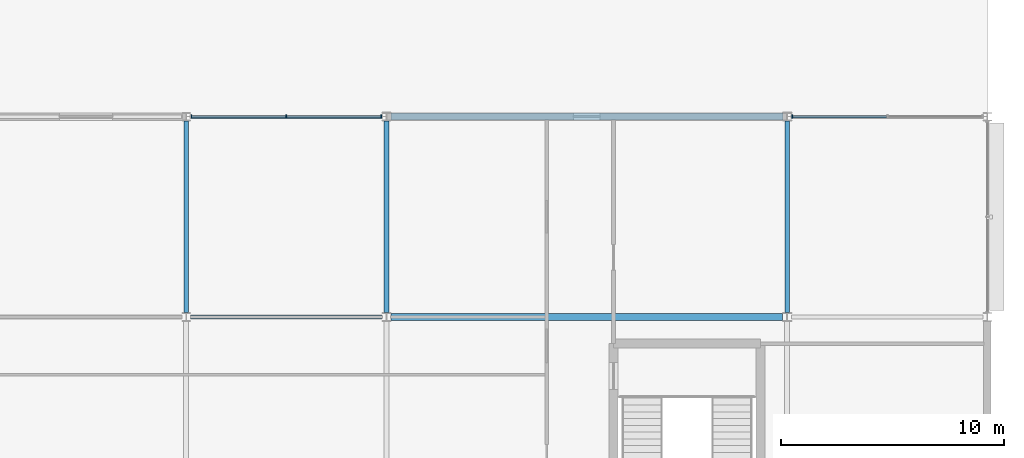
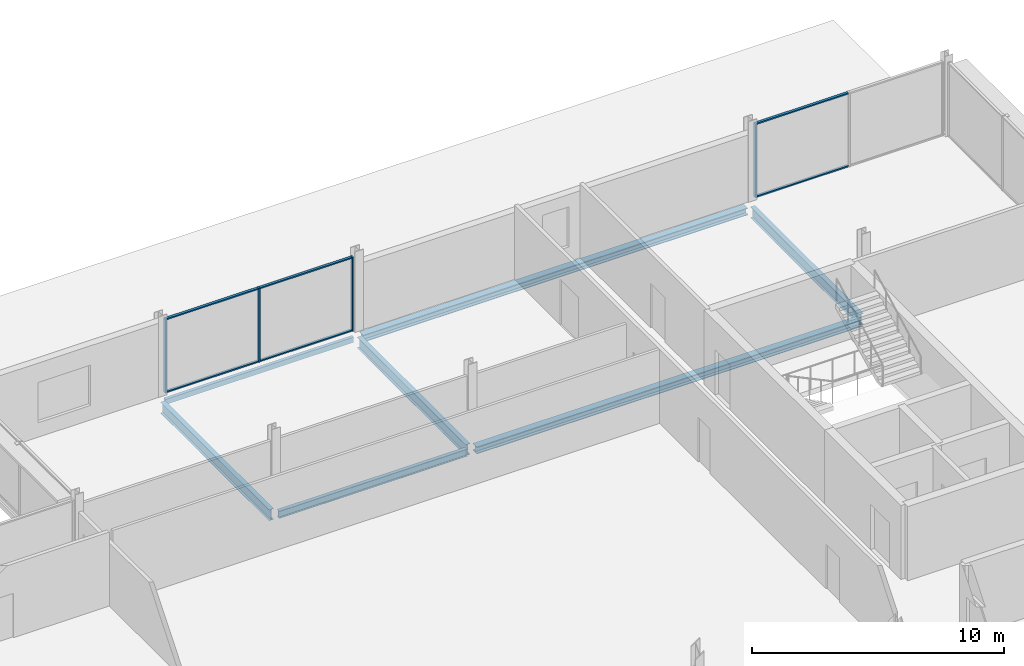
# One storey, part 54 of 105: 10 members, 7 beams, 2 elements without a shape of their own.
"""IFC4 building model written with IfcOpenShell, lengths in metres."""

from ifc_helpers import new_model, si_unit, direction, frame, origin, origin_2d, place, context, subcontext, project, spatial, rectangle, hollow_rectangle, i_section, extrude, material, layer, layer_set, material_profile, profile_set, type_object, element, aggregate, save


model = new_model("IFC4")

# Units and contexts
model_context = context("Model", 3, precision=1e-05, world=origin(), true_north=direction((0.0, 1.0)))
body_context = subcontext(model_context, "Body", "Model", "MODEL_VIEW")
ifc_project = project(units=[si_unit("LENGTHUNIT", "METRE"), si_unit("AREAUNIT", "SQUARE_METRE"), si_unit("VOLUMEUNIT", "CUBIC_METRE"), si_unit("PLANEANGLEUNIT", "RADIAN"), si_unit("MASSUNIT", "GRAM", prefix="KILO")], contexts=[model_context])

# Site, building, storey
site_placement = place(None, origin())
site = spatial("IfcSite", under=ifc_project, at=site_placement, CompositionType="ELEMENT")
building_placement = place(site_placement, origin())
building = spatial("IfcBuilding", under=site, at=building_placement, Name="Kisiwana Market Hall", CompositionType="ELEMENT")
storey_placement = place(building_placement, frame((0.0, 0.0, 21.60009765625)))
storey = spatial("IfcBuildingStorey", under=building, at=storey_placement, Name="L04", CompositionType="ELEMENT", Elevation=21.60009765625)

# Beams
ifc_material_1 = material(Name="Steel S355", Category="steel")
ifc_material_profile_1 = material_profile(ifc_material_1, i_section(OverallWidth=0.209228515625, OverallDepth=0.533203125, WebThickness=0.010009765625, FlangeThickness=0.015625, at=origin_2d()), Name="UB 533x210x92")
ifc_profile_set_1 = profile_set([ifc_material_profile_1], Name="Steel S355")
beam_type_1 = type_object("IfcBeamType", Name="BM-GIRD-UB533", PredefinedType="BEAM", material=ifc_profile_set_1)
for number, where, z_axis, x_axis, name in (
    (1, (162.0, 102.2041015625, -0.51171875), (0.0, 1.0, 0.0), (-1.0, 0.0, 0.0), "Primary girder B-1376"),
    (2, (171.0, 102.2041015625, -0.51171875), (0.0, 1.0, 0.0), (-1.0, 0.0, 0.0), "Primary girder B-1380"),
    (3, (189.0, 102.2041015625, -0.51171875), (0.0, 1.0, 0.0), (-1.0, 0.0, 0.0), "Primary girder B-1386"),
):
    element("IfcBeam", number, at=place(storey_placement, frame(where, z_axis=z_axis, x_axis=x_axis)), inside=storey, type_object=beam_type_1, Name=name, PredefinedType="BEAM", context=body_context, shape_type="SweptSolid", body=[
        extrude(i_section(OverallWidth=0.209228515625, OverallDepth=0.533203125, WebThickness=0.010009765625, FlangeThickness=0.015625, at=origin_2d()), origin(), (0.0, 0.0, 1.0), 8.60302734375),
    ])
ifc_material_2 = material(Name="Steel S355", Category="steel")
ifc_material_profile_2 = material_profile(ifc_material_2, i_section(OverallWidth=0.1708984375, OverallDepth=0.351318359375, WebThickness=0.007080078125, FlangeThickness=0.009765625, FilletRadius=0.01025390625, at=origin_2d()), Name="UB 356x171x45")
ifc_profile_set_2 = profile_set([ifc_material_profile_2], Name="Steel S355")
beam_type_2 = type_object("IfcBeamType", Name="BM-JOIST-UB045", PredefinedType="JOIST", material=ifc_profile_set_2)
beam_1_placement = place(storey_placement, frame((162.198974609375, 102.0, -0.4208984375), z_axis=(1.0, 0.0, 0.0), x_axis=(0.0, 1.0, 0.0)))
element("IfcBeam", 4, at=beam_1_placement, inside=storey, type_object=beam_type_2, Name="Floor beam B-1478", PredefinedType="JOIST", context=body_context, shape_type="SweptSolid", body=[
    extrude(i_section(OverallWidth=0.1708984375, OverallDepth=0.351318359375, WebThickness=0.007080078125, FlangeThickness=0.009765625, FilletRadius=0.01025390625, at=origin_2d()), origin(), (0.0, 0.0, 1.0), 8.60205078125),
])
ifc_material_3 = material(Name="Steel S355", Category="steel")
ifc_material_profile_3 = material_profile(ifc_material_3, i_section(OverallWidth=0.314453125, OverallDepth=0.33984375, WebThickness=0.01904296875, FlangeThickness=0.031494140625, at=origin_2d()), Name="UC 305x305x198")
ifc_profile_set_3 = profile_set([ifc_material_profile_3], Name="Steel S355")
beam_type_3 = type_object("IfcBeamType", Name="BM-SKYBR-CHORD", PredefinedType="BEAM", material=ifc_profile_set_3)
beam_2_placement = place(storey_placement, frame((171.198974609375, 102.0, -0.4150390625), z_axis=(1.0, 0.0, 0.0), x_axis=(0.0, 1.0, 0.0)))
element("IfcBeam", 5, at=beam_2_placement, inside=storey, type_object=beam_type_3, Name="Floor beam B-1479", PredefinedType="BEAM", context=body_context, shape_type="SweptSolid", body=[
    extrude(i_section(OverallWidth=0.314453125, OverallDepth=0.33984375, WebThickness=0.01904296875, FlangeThickness=0.031494140625, at=origin_2d()), origin(), (0.0, 0.0, 1.0), 17.60205078125),
])
beam_3_placement = place(storey_placement, frame((171.195556640625, 111.0, -0.462158203125), z_axis=(1.0, 0.0, 0.0), x_axis=(0.0, 1.0, 0.0)))
element("IfcBeam", 6, at=beam_3_placement, inside=storey, type_object=beam_type_3, Name="Floor beam B-1487", PredefinedType="BEAM", context=body_context, shape_type="SweptSolid", body=[
    extrude(i_section(OverallWidth=0.314453125, OverallDepth=0.33984375, WebThickness=0.01904296875, FlangeThickness=0.031494140625, at=origin_2d()), origin(), (0.0, 0.0, 1.0), 17.60888671875),
])
ifc_material_4 = material(Name="Steel S355", Category="steel")
ifc_material_profile_4 = material_profile(ifc_material_4, hollow_rectangle(XDim=0.14990234375, YDim=0.25, WallThickness=0.010009765625, at=origin_2d()), Name="RHS 250x150x10.0")
ifc_profile_set_4 = profile_set([ifc_material_profile_4], Name="Steel S355")
beam_type_4 = type_object("IfcBeamType", Name="BM-SPAN-RHS250", PredefinedType="SPANDREL", material=ifc_profile_set_4)
beam_4_placement = place(storey_placement, frame((162.195556640625, 111.0, -0.4169921875), z_axis=(1.0, 0.0, 0.0), x_axis=(0.0, 1.0, 0.0)))
element("IfcBeam", 7, at=beam_4_placement, inside=storey, type_object=beam_type_4, Name="Floor beam B-1486", PredefinedType="SPANDREL", context=body_context, shape_type="SweptSolid", body=[
    extrude(hollow_rectangle(XDim=0.14990234375, YDim=0.25, WallThickness=0.010009765625, at=origin_2d()), origin(), (0.0, 0.0, 1.0), 8.60888671875),
])

# Curtain wall, members
ifc_material_5 = material(Name="Double-glazed solar-control low-E IGU", Category="glass")
ifc_layer = layer(ifc_material_5, 0.159912109375)
ifc_layer_set = layer_set([ifc_layer], Name="CW-ZNA-EW-8200")
curtain_wall_type = type_object("IfcCurtainWallType", Name="CW-ZNA-EW-8200", PredefinedType="USERDEFINED", material=ifc_layer_set)
curtain_wall_1_placement = place(storey_placement, origin())
curtain_wall_1 = element("IfcCurtainWall", 8, at=curtain_wall_1_placement, inside=storey, type_object=curtain_wall_type, Name="Unitised curtain wall CW-117 (L04)", ObjectType="UNITISED CURTAIN WALL", PredefinedType="USERDEFINED")
ifc_material_6 = material(Name="Aluminium alloy 6063-T6", Category="aluminium")
ifc_material_profile_5 = material_profile(ifc_material_6, rectangle(XDim=0.06005859375, YDim=0.159912109375, at=origin_2d()), Name="ALU MULLION 60x160")
ifc_profile_set_5 = profile_set([ifc_material_profile_5], Name="Aluminium alloy 6063-T6")
member_type_1 = type_object("IfcMemberType", Name="CW-MULL-60x160", PredefinedType="MULLION", material=ifc_profile_set_5)
member_1_placement = place(storey_placement, frame((162.21630859375, 111.0, 0.0), z_axis=(0.0, 0.0, 1.0), x_axis=(1.0, 0.0, 0.0)))
member_1 = element("IfcMember", 9, at=member_1_placement, type_object=member_type_1, Name="CW-117 mullion 1", PredefinedType="MULLION", context=body_context, shape_type="SweptSolid", body=[
    extrude(rectangle(XDim=0.06005859375, YDim=0.159912109375, at=origin_2d()), origin(), (0.0, 0.0, 1.0), 3.5849609375),
])
member_2_placement = place(storey_placement, frame((166.494384765625, 111.0, 0.0), z_axis=(0.0, 0.0, 1.0), x_axis=(1.0, 0.0, 0.0)))
member_2 = element("IfcMember", 10, at=member_2_placement, type_object=member_type_1, Name="CW-117 mullion 2", PredefinedType="MULLION", context=body_context, shape_type="SweptSolid", body=[
    extrude(rectangle(XDim=0.06005859375, YDim=0.159912109375, at=origin_2d()), origin(), (0.0, 0.0, 1.0), 3.5849609375),
])
member_3_placement = place(storey_placement, frame((170.772705078125, 111.0, 0.0), z_axis=(0.0, 0.0, 1.0), x_axis=(1.0, 0.0, 0.0)))
member_3 = element("IfcMember", 11, at=member_3_placement, type_object=member_type_1, Name="CW-117 mullion 3", PredefinedType="MULLION", context=body_context, shape_type="SweptSolid", body=[
    extrude(rectangle(XDim=0.06005859375, YDim=0.159912109375, at=origin_2d()), origin(), (0.0, 0.0, 1.0), 3.5849609375),
])

# Curtain wall, member
curtain_wall_2_placement = place(storey_placement, origin())
curtain_wall_2 = element("IfcCurtainWall", 12, at=curtain_wall_2_placement, inside=storey, type_object=curtain_wall_type, Name="Unitised curtain wall CW-118 (L04)", ObjectType="UNITISED CURTAIN WALL", PredefinedType="USERDEFINED")
member_4_placement = place(storey_placement, frame((189.227294921875, 111.0, 0.0), z_axis=(0.0, 0.0, 1.0), x_axis=(1.0, 0.0, 0.0)))
member_4 = element("IfcMember", 13, at=member_4_placement, type_object=member_type_1, Name="CW-118 mullion 1", PredefinedType="MULLION", context=body_context, shape_type="SweptSolid", body=[
    extrude(rectangle(XDim=0.06005859375, YDim=0.159912109375, at=origin_2d()), origin(), (0.0, 0.0, 1.0), 3.5849609375),
])

# Member
ifc_material_7 = material(Name="Aluminium alloy 6063-T6", Category="aluminium")
ifc_material_profile_6 = material_profile(ifc_material_7, rectangle(XDim=0.1201171875, YDim=0.06005859375, at=origin_2d()), Name="ALU TRANSOM 60x120")
ifc_profile_set_6 = profile_set([ifc_material_profile_6], Name="Aluminium alloy 6063-T6")
member_type_2 = type_object("IfcMemberType", Name="CW-TRAN-60x120", PredefinedType="USERDEFINED", material=ifc_profile_set_6)
member_5_placement = place(storey_placement, frame((162.246337890625, 111.0, 0.02978515625), z_axis=(1.0, 0.0, 0.0), x_axis=(0.0, 1.0, 0.0)))
member_5 = element("IfcMember", 14, at=member_5_placement, type_object=member_type_2, Name="CW-117 transom 1.1", ObjectType="TRANSOM", PredefinedType="USERDEFINED", context=body_context, shape_type="SweptSolid", body=[
    extrude(rectangle(XDim=0.1201171875, YDim=0.06005859375, at=origin_2d()), origin(), (0.0, 0.0, 1.0), 4.218017578125),
])

member_6_placement = place(storey_placement, frame((162.246337890625, 111.0, 3.554931640625), z_axis=(1.0, 0.0, 0.0), x_axis=(0.0, 1.0, 0.0)))
member_6 = element("IfcMember", 15, at=member_6_placement, type_object=member_type_2, Name="CW-117 transom 1.2", ObjectType="TRANSOM", PredefinedType="USERDEFINED", context=body_context, shape_type="SweptSolid", body=[
    extrude(rectangle(XDim=0.1201171875, YDim=0.06005859375, at=origin_2d()), origin(), (0.0, 0.0, 1.0), 4.218017578125),
])

member_7_placement = place(storey_placement, frame((166.5244140625, 111.0, 0.02978515625), z_axis=(1.0, 0.0, 0.0), x_axis=(0.0, 1.0, 0.0)))
member_7 = element("IfcMember", 16, at=member_7_placement, type_object=member_type_2, Name="CW-117 transom 2.1", ObjectType="TRANSOM", PredefinedType="USERDEFINED", context=body_context, shape_type="SweptSolid", body=[
    extrude(rectangle(XDim=0.1201171875, YDim=0.06005859375, at=origin_2d()), origin(), (0.0, 0.0, 1.0), 4.21826171875),
])

member_8_placement = place(storey_placement, frame((166.5244140625, 111.0, 3.554931640625), z_axis=(1.0, 0.0, 0.0), x_axis=(0.0, 1.0, 0.0)))
member_8 = element("IfcMember", 17, at=member_8_placement, type_object=member_type_2, Name="CW-117 transom 2.2", ObjectType="TRANSOM", PredefinedType="USERDEFINED", context=body_context, shape_type="SweptSolid", body=[
    extrude(rectangle(XDim=0.1201171875, YDim=0.06005859375, at=origin_2d()), origin(), (0.0, 0.0, 1.0), 4.21826171875),
])

aggregate(curtain_wall_1, [member_1, member_2, member_3, member_5, member_6, member_7, member_8])

member_9_placement = place(storey_placement, frame((189.25732421875, 111.0, 0.02978515625), z_axis=(1.0, 0.0, 0.0), x_axis=(0.0, 1.0, 0.0)))
member_9 = element("IfcMember", 18, at=member_9_placement, type_object=member_type_2, Name="CW-118 transom 1.1", ObjectType="TRANSOM", PredefinedType="USERDEFINED", context=body_context, shape_type="SweptSolid", body=[
    extrude(rectangle(XDim=0.1201171875, YDim=0.06005859375, at=origin_2d()), origin(), (0.0, 0.0, 1.0), 4.21826171875),
])

member_10_placement = place(storey_placement, frame((189.25732421875, 111.0, 3.554931640625), z_axis=(1.0, 0.0, 0.0), x_axis=(0.0, 1.0, 0.0)))
member_10 = element("IfcMember", 19, at=member_10_placement, type_object=member_type_2, Name="CW-118 transom 1.2", ObjectType="TRANSOM", PredefinedType="USERDEFINED", context=body_context, shape_type="SweptSolid", body=[
    extrude(rectangle(XDim=0.1201171875, YDim=0.06005859375, at=origin_2d()), origin(), (0.0, 0.0, 1.0), 4.21826171875),
])

aggregate(curtain_wall_2, [member_4, member_9, member_10])

save(model, "model.ifc")
